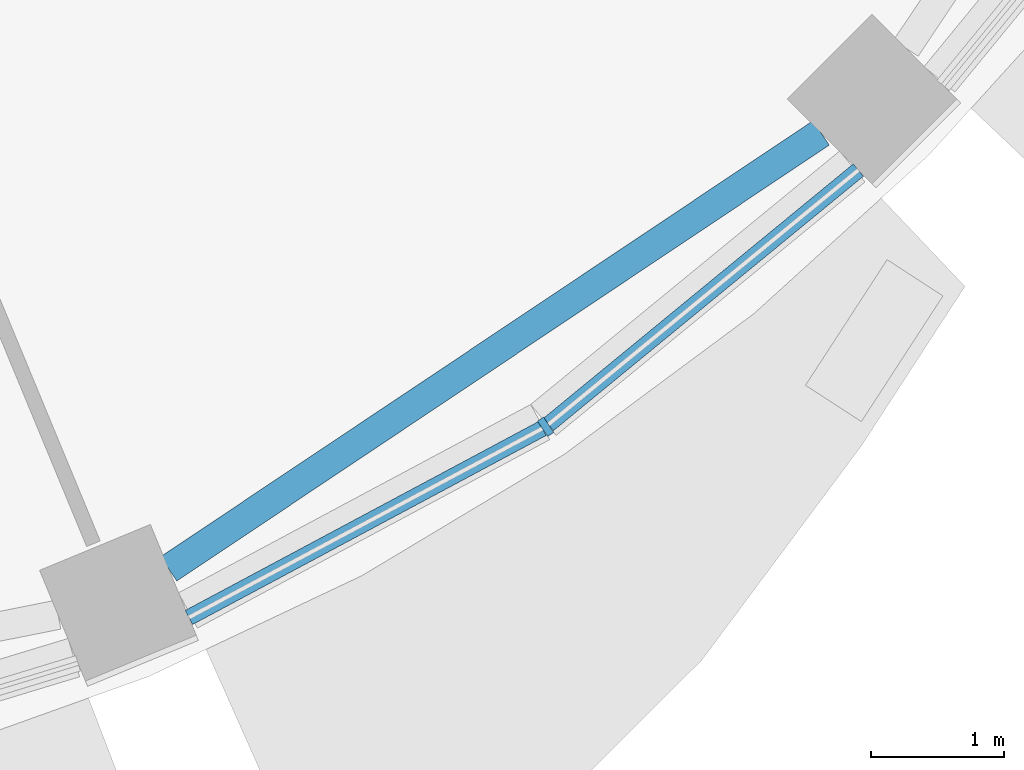
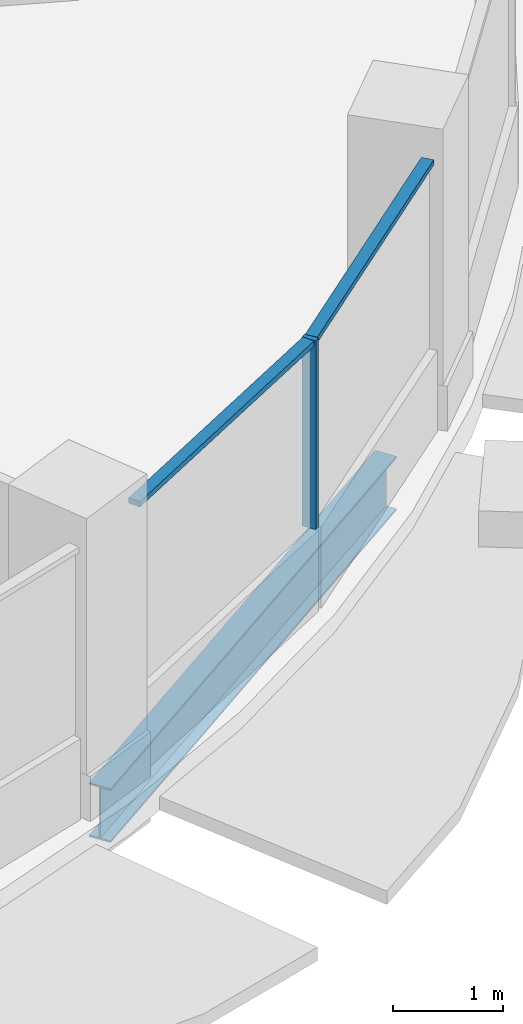
# One storey, part 3 of 15: 3 members, 1 beam, 1 element without a shape of its own.
"""IFC4 building model written with IfcOpenShell, lengths in metres."""

from ifc_helpers import new_model, si_unit, direction, frame, origin, origin_2d, place, context, subcontext, project, spatial, rectangle, i_section, extrude, material, material_profile, profile_set, type_object, element, aggregate, save


model = new_model("IFC4")

# Units and contexts
model_context = context("Model", 3, precision=1e-05, world=origin(), true_north=direction((0.0, 1.0)))
body_context = subcontext(model_context, "Body", "Model", "MODEL_VIEW")
ifc_project = project(units=[si_unit("LENGTHUNIT", "METRE"), si_unit("AREAUNIT", "SQUARE_METRE"), si_unit("VOLUMEUNIT", "CUBIC_METRE"), si_unit("PLANEANGLEUNIT", "RADIAN"), si_unit("MASSUNIT", "GRAM", prefix="KILO")], contexts=[model_context])

# Site, building, storey
site_placement = place(None, origin())
site = spatial("IfcSite", under=ifc_project, at=site_placement, CompositionType="ELEMENT")
building_placement = place(site_placement, origin())
building = spatial("IfcBuilding", under=site, at=building_placement, Name="Polderwave Tower", CompositionType="ELEMENT")
storey_placement = place(building_placement, frame((0.0, 0.0, 187.64990234375)))
storey = spatial("IfcBuildingStorey", under=building, at=storey_placement, Name="L50", CompositionType="ELEMENT", Elevation=187.64990234375)

# Curtain wall, members
ifc_material_1 = material(Name="Aluminium 6063-T6 and glass", Category="aluminium")
curtain_wall_type = type_object("IfcCurtainWallType", Name="Office ribbon glazing wall", PredefinedType="NOTDEFINED", material=ifc_material_1)
curtain_wall_placement = place(storey_placement, origin())
curtain_wall = element("IfcCurtainWall", 1, at=curtain_wall_placement, inside=storey, type_object=curtain_wall_type, Name="CW3 L50 13", PredefinedType="NOTDEFINED")
ifc_material_2 = material(Name="Aluminium 6063-T6", Category="aluminium")
ifc_material_profile_1 = material_profile(ifc_material_2, rectangle(XDim=0.139892578125, YDim=0.054931640625, at=origin_2d()), Name="AL 55x140")
ifc_profile_set_1 = profile_set([ifc_material_profile_1], Name="Aluminium 6063-T6")
member_type_1 = type_object("IfcMemberType", Name="Office ribbon glazing mullion 55x140", PredefinedType="MULLION", material=ifc_profile_set_1)
member_1_placement = place(storey_placement, frame((9.888916015625, -14.800048828125, 0.900146484375), z_axis=(0.0, 0.0, 1.0), x_axis=(-0.55564569252, 0.831419186923, 0.0)))
member_1 = element("IfcMember", 2, at=member_1_placement, type_object=member_type_1, Name="CW3 mullion 1", PredefinedType="MULLION", context=body_context, shape_type="SweptSolid", body=[
    extrude(rectangle(XDim=0.139892578125, YDim=0.054931640625, at=origin_2d()), origin(), (0.0, 0.0, 1.0), 2.099853515625),
])
ifc_material_profile_2 = material_profile(ifc_material_2, rectangle(XDim=0.1201171875, YDim=0.06005859375, at=origin_2d()), Name="AL 60x120")
ifc_profile_set_2 = profile_set([ifc_material_profile_2], Name="Aluminium 6063-T6")
member_type_2 = type_object("IfcMemberType", Name="Office ribbon glazing transom 60x120", PredefinedType="USERDEFINED", material=ifc_profile_set_2)
member_2_placement = place(storey_placement, frame((7.2109375, -16.23193359375, 2.97021484375), z_axis=(0.881858389834, 0.471514347904, 0.0), x_axis=(-0.471514347904, 0.881858389834, 0.0)))
member_2 = element("IfcMember", 3, at=member_2_placement, type_object=member_type_2, Name="CW3 transom 1", ObjectType="TRANSOM", PredefinedType="USERDEFINED", context=body_context, shape_type="SweptSolid", body=[
    extrude(rectangle(XDim=0.1201171875, YDim=0.06005859375, at=origin_2d()), origin(), (0.0, 0.0, 1.0), 3.00927734375),
])
member_3_placement = place(storey_placement, frame((9.910400390625, -14.78271484375, 2.97021484375), z_axis=(0.772973416151, 0.634438411451, 0.0), x_axis=(-0.634438411451, 0.772973416151, 0.0)))
member_3 = element("IfcMember", 4, at=member_3_placement, type_object=member_type_2, Name="CW3 transom 2", ObjectType="TRANSOM", PredefinedType="USERDEFINED", context=body_context, shape_type="SweptSolid", body=[
    extrude(rectangle(XDim=0.1201171875, YDim=0.06005859375, at=origin_2d()), origin(), (0.0, 0.0, 1.0), 3.010009765625),
])
aggregate(curtain_wall, [member_1, member_2, member_3])

# Beam
ifc_material_3 = material(Name="Steel S355", Category="steel")
ifc_material_profile_3 = material_profile(ifc_material_3, i_section(OverallWidth=0.219970703125, OverallDepth=0.60009765625, WebThickness=0.011962890625, FlangeThickness=0.01904296875, at=origin_2d()), Name="IPE 600")
ifc_profile_set_3 = profile_set([ifc_material_profile_3], Name="Steel S355")
beam_type = type_object("IfcBeamType", Name="RING BEAM IPE 600", PredefinedType="BEAM", material=ifc_profile_set_3)
beam_placement = place(storey_placement, frame((7.059326171875, -15.86669921875, -0.64990234375), z_axis=(0.831482400805, 0.555551093196, 0.0), x_axis=(-0.555551093196, 0.831482400805, 0.0)))
element("IfcBeam", 5, at=beam_placement, inside=storey, type_object=beam_type, Name="ST-RB-L50-13", PredefinedType="BEAM", context=body_context, shape_type="SweptSolid", body=[
    extrude(i_section(OverallWidth=0.219970703125, OverallDepth=0.60009765625, WebThickness=0.011962890625, FlangeThickness=0.01904296875, at=origin_2d()), origin(), (0.0, 0.0, 1.0), 5.890869140625),
])

save(model, "model.ifc")
